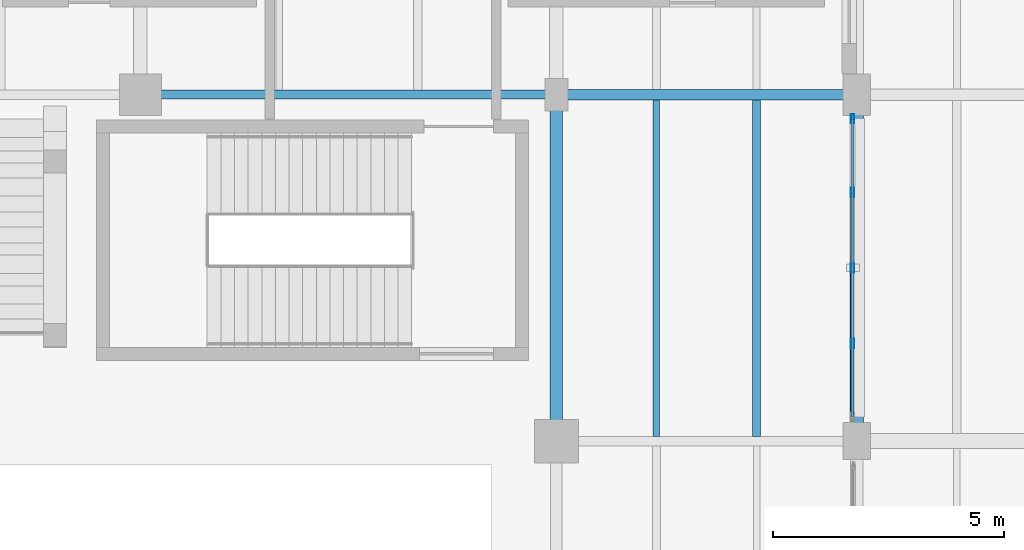
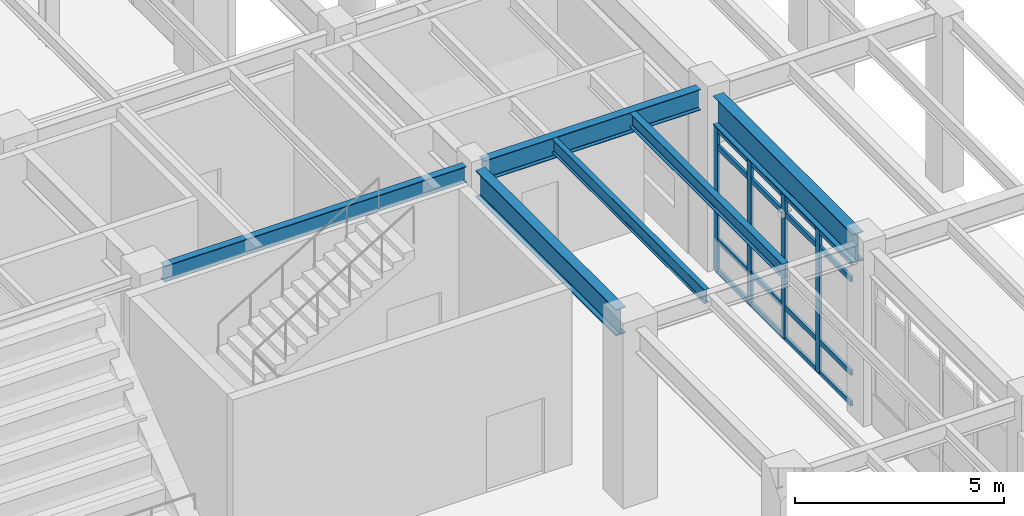
# One storey, part 121 of 203: 8 members, 6 beams, 1 element without a shape of its own.
"""IFC4 building model written with IfcOpenShell, lengths in metres."""

from ifc_helpers import new_model, si_unit, direction, frame, origin, origin_2d, place, context, subcontext, project, spatial, hollow_rectangle, i_section, extrude, material, material_profile, profile_set, type_object, element, aggregate, save


model = new_model("IFC4")

# Units and contexts
model_context = context("Model", 3, precision=1e-05, world=origin(), true_north=direction((0.0, 1.0)))
body_context = subcontext(model_context, "Body", "Model", "MODEL_VIEW")
ifc_project = project(units=[si_unit("LENGTHUNIT", "METRE"), si_unit("AREAUNIT", "SQUARE_METRE"), si_unit("VOLUMEUNIT", "CUBIC_METRE"), si_unit("PLANEANGLEUNIT", "RADIAN"), si_unit("MASSUNIT", "GRAM", prefix="KILO"), si_unit("THERMODYNAMICTEMPERATUREUNIT", "KELVIN"), si_unit("POWERUNIT", "WATT")], contexts=[model_context])

# Site, building, storey
site_placement = place(None, origin())
site = spatial("IfcSite", under=ifc_project, at=site_placement, CompositionType="ELEMENT")
building_placement = place(site_placement, origin())
building = spatial("IfcBuilding", under=site, at=building_placement, Name="Tepalcoro Natatorium and Aquatics Centre", CompositionType="ELEMENT")
storey_placement = place(building_placement, origin())
storey = spatial("IfcBuildingStorey", under=building, at=storey_placement, Name="L00", CompositionType="ELEMENT", Elevation=0.0)

# Beams
ifc_material_1 = material(Name="Steel ASTM A992 Grade 50 (Fy 345 MPa)", Category="steel")
ifc_material_profile_1 = material_profile(ifc_material_1, i_section(OverallWidth=0.193115234375, OverallDepth=0.467041015625, WebThickness=0.010986328125, FlangeThickness=0.01904296875, FilletRadius=0.013916015625, at=origin_2d()), Name="W18X65")
ifc_profile_set_1 = profile_set([ifc_material_profile_1], Name="Steel ASTM A992 Grade 50 (Fy 345 MPa)")
beam_type_1 = type_object("IfcBeamType", Name="BM_W18x65", PredefinedType="BEAM", material=ifc_profile_set_1)
beam_1_placement = place(storey_placement, frame((116.43505859375, 59.0, 4.8916015625), z_axis=(1.0, 0.0, 0.0), x_axis=(0.0, 1.0, 0.0)))
element("IfcBeam", 1, at=beam_1_placement, inside=storey, type_object=beam_type_1, Name="V1 L00 Grid Girder X", PredefinedType="BEAM", context=body_context, shape_type="SweptSolid", body=[
    extrude(i_section(OverallWidth=0.193115234375, OverallDepth=0.467041015625, WebThickness=0.010986328125, FlangeThickness=0.01904296875, FilletRadius=0.013916015625, at=origin_2d()), origin(), (0.0, 0.0, 1.0), 8.329833984375),
])
ifc_material_profile_2 = material_profile(ifc_material_1, i_section(OverallWidth=0.22802734375, OverallDepth=0.60693359375, WebThickness=0.010986328125, FlangeThickness=0.01708984375, FilletRadius=0.013916015625, at=origin_2d()), Name="W24X76")
ifc_profile_set_2 = profile_set([ifc_material_profile_2], Name="Steel ASTM A992 Grade 50 (Fy 345 MPa)")
beam_type_2 = type_object("IfcBeamType", Name="BM_W24x76", PredefinedType="BEAM", material=ifc_profile_set_2)
beam_2_placement = place(storey_placement, frame((125.235107421875, 59.0, 4.821533203125), z_axis=(1.0, 0.0, 0.0), x_axis=(0.0, 1.0, 0.0)))
element("IfcBeam", 2, at=beam_2_placement, inside=storey, type_object=beam_type_2, Name="V1 L00 Grid Girder X", PredefinedType="BEAM", context=body_context, shape_type="SweptSolid", body=[
    extrude(i_section(OverallWidth=0.22802734375, OverallDepth=0.60693359375, WebThickness=0.010986328125, FlangeThickness=0.01708984375, FilletRadius=0.013916015625, at=origin_2d()), origin(), (0.0, 0.0, 1.0), 5.97998046875),
])
ifc_material_profile_3 = material_profile(ifc_material_1, i_section(OverallWidth=0.26708984375, OverallDepth=0.780029296875, WebThickness=0.01708984375, FlangeThickness=0.030029296875, FilletRadius=0.013916015625, at=origin_2d()), Name="W30X148")
ifc_profile_set_3 = profile_set([ifc_material_profile_3], Name="Steel ASTM A992 Grade 50 (Fy 345 MPa)")
beam_type_3 = type_object("IfcBeamType", Name="BM_W30x148", PredefinedType="BEAM", material=ifc_profile_set_3)
beam_3_placement = place(storey_placement, frame((125.0, 51.9599609375, 4.735107421875), z_axis=(0.0, 1.0, 0.0), x_axis=(-1.0, 0.0, 0.0)))
element("IfcBeam", 3, at=beam_3_placement, inside=storey, type_object=beam_type_3, Name="V1 L00 Grid Girder Y", PredefinedType="BEAM", context=body_context, shape_type="SweptSolid", body=[
    extrude(i_section(OverallWidth=0.26708984375, OverallDepth=0.780029296875, WebThickness=0.01708984375, FlangeThickness=0.030029296875, FilletRadius=0.013916015625, at=origin_2d()), origin(), (0.0, 0.0, 1.0), 6.705078125),
])
ifc_material_profile_4 = material_profile(ifc_material_1, i_section(OverallWidth=0.2919921875, OverallDepth=0.845947265625, WebThickness=0.014892578125, FlangeThickness=0.02392578125, FilletRadius=0.013916015625, at=origin_2d()), Name="W33X141")
ifc_profile_set_4 = profile_set([ifc_material_profile_4], Name="Steel ASTM A992 Grade 50 (Fy 345 MPa)")
beam_type_4 = type_object("IfcBeamType", Name="BM_W33x141", PredefinedType="BEAM", material=ifc_profile_set_4)
beam_4_placement = place(storey_placement, frame((131.5, 51.885009765625, 4.662109375), z_axis=(0.0, 1.0, 0.0), x_axis=(-1.0, 0.0, 0.0)))
element("IfcBeam", 4, at=beam_4_placement, inside=storey, type_object=beam_type_4, Name="V1 L00 Grid Girder Y", PredefinedType="BEAM", context=body_context, shape_type="SweptSolid", body=[
    extrude(i_section(OverallWidth=0.2919921875, OverallDepth=0.845947265625, WebThickness=0.014892578125, FlangeThickness=0.02392578125, FilletRadius=0.013916015625, at=origin_2d()), origin(), (0.0, 0.0, 1.0), 6.679931640625),
])

# Curtain wall, members
ifc_material_2 = material(Name="Bronze-Anodised Extruded Aluminium Alloy EN AW-6063 T6", Category="aluminium")
curtain_wall_type = type_object("IfcCurtainWallType", Name="CW_V4_VILLAGE", PredefinedType="USERDEFINED", material=ifc_material_2)
curtain_wall_placement = place(storey_placement, origin())
curtain_wall = element("IfcCurtainWall", 5, at=curtain_wall_placement, inside=storey, type_object=curtain_wall_type, Name="V1 L00 E Unitised Curtain Wall Bay 7", ObjectType="UNITISED STOREFRONT", PredefinedType="USERDEFINED")
ifc_material_profile_5 = material_profile(ifc_material_2, hollow_rectangle(XDim=0.070068359375, YDim=0.199951171875, WallThickness=0.0048828125, at=origin_2d()), Name="AL70X200X5")
ifc_profile_set_5 = profile_set([ifc_material_profile_5], Name="Bronze-Anodised Extruded Aluminium Alloy EN AW-6063 T6")
member_type_1 = type_object("IfcMemberType", Name="CW_MUL_70x200", PredefinedType="MULLION", material=ifc_profile_set_5)
member_1_placement = place(storey_placement, frame((131.409912109375, 53.614990234375, 0.02001953125), z_axis=(0.0, 0.0, 1.0), x_axis=(1.0, 0.0, 0.0)))
member_1 = element("IfcMember", 6, at=member_1_placement, type_object=member_type_1, Name="CW_V4_VILLAGE Curtain Wall Mullion", PredefinedType="MULLION", context=body_context, shape_type="SweptSolid", body=[
    extrude(hollow_rectangle(XDim=0.070068359375, YDim=0.199951171875, WallThickness=0.0048828125, at=origin_2d()), origin(), (0.0, 0.0, 1.0), 4.18408203125),
])
member_2_placement = place(storey_placement, frame((131.409912109375, 55.25, 0.02001953125), z_axis=(0.0, 0.0, 1.0), x_axis=(1.0, 0.0, 0.0)))
member_2 = element("IfcMember", 7, at=member_2_placement, type_object=member_type_1, Name="CW_V4_VILLAGE Curtain Wall Mullion", PredefinedType="MULLION", context=body_context, shape_type="SweptSolid", body=[
    extrude(hollow_rectangle(XDim=0.070068359375, YDim=0.199951171875, WallThickness=0.0048828125, at=origin_2d()), origin(), (0.0, 0.0, 1.0), 4.18408203125),
])
member_3_placement = place(storey_placement, frame((131.409912109375, 56.885009765625, 0.02001953125), z_axis=(0.0, 0.0, 1.0), x_axis=(1.0, 0.0, 0.0)))
member_3 = element("IfcMember", 8, at=member_3_placement, type_object=member_type_1, Name="CW_V4_VILLAGE Curtain Wall Mullion", PredefinedType="MULLION", context=body_context, shape_type="SweptSolid", body=[
    extrude(hollow_rectangle(XDim=0.070068359375, YDim=0.199951171875, WallThickness=0.0048828125, at=origin_2d()), origin(), (0.0, 0.0, 1.0), 4.18408203125),
])
member_4_placement = place(storey_placement, frame((131.409912109375, 58.47998046875, 0.02001953125), z_axis=(0.0, 0.0, 1.0), x_axis=(1.0, 0.0, 0.0)))
member_4 = element("IfcMember", 9, at=member_4_placement, type_object=member_type_1, Name="CW_V4_VILLAGE Curtain Wall Mullion", PredefinedType="MULLION", context=body_context, shape_type="SweptSolid", body=[
    extrude(hollow_rectangle(XDim=0.070068359375, YDim=0.199951171875, WallThickness=0.0048828125, at=origin_2d()), origin(), (0.0, 0.0, 1.0), 4.18408203125),
])
ifc_material_profile_6 = material_profile(ifc_material_2, hollow_rectangle(XDim=0.070068359375, YDim=0.14990234375, WallThickness=0.00390625, at=origin_2d()), Name="AL70X150X4")
ifc_profile_set_6 = profile_set([ifc_material_profile_6], Name="Bronze-Anodised Extruded Aluminium Alloy EN AW-6063 T6")
member_type_2 = type_object("IfcMemberType", Name="CW_TRN_70x150", PredefinedType="USERDEFINED", material=ifc_profile_set_6)
member_5_placement = place(storey_placement, frame((131.409912109375, 52.030029296875, 0.050048828125), z_axis=(0.0, 1.0, 0.0), x_axis=(-1.0, 0.0, 0.0)))
member_5 = element("IfcMember", 10, at=member_5_placement, type_object=member_type_2, Name="CW_V4_VILLAGE Curtain Wall Transom", ObjectType="TRANSOM", PredefinedType="USERDEFINED", context=body_context, shape_type="SweptSolid", body=[
    extrude(hollow_rectangle(XDim=0.070068359375, YDim=0.14990234375, WallThickness=0.00390625, at=origin_2d()), origin(), (0.0, 0.0, 1.0), 6.43994140625),
])
member_6_placement = place(storey_placement, frame((131.409912109375, 52.030029296875, 0.949951171875), z_axis=(0.0, 1.0, 0.0), x_axis=(-1.0, 0.0, 0.0)))
member_6 = element("IfcMember", 11, at=member_6_placement, type_object=member_type_2, Name="CW_V4_VILLAGE Curtain Wall Transom", ObjectType="TRANSOM", PredefinedType="USERDEFINED", context=body_context, shape_type="SweptSolid", body=[
    extrude(hollow_rectangle(XDim=0.070068359375, YDim=0.14990234375, WallThickness=0.00390625, at=origin_2d()), origin(), (0.0, 0.0, 1.0), 6.43994140625),
])
member_7_placement = place(storey_placement, frame((131.409912109375, 52.030029296875, 3.674072265625), z_axis=(0.0, 1.0, 0.0), x_axis=(-1.0, 0.0, 0.0)))
member_7 = element("IfcMember", 12, at=member_7_placement, type_object=member_type_2, Name="CW_V4_VILLAGE Curtain Wall Transom", ObjectType="TRANSOM", PredefinedType="USERDEFINED", context=body_context, shape_type="SweptSolid", body=[
    extrude(hollow_rectangle(XDim=0.070068359375, YDim=0.14990234375, WallThickness=0.00390625, at=origin_2d()), origin(), (0.0, 0.0, 1.0), 6.43994140625),
])
member_8_placement = place(storey_placement, frame((131.409912109375, 52.030029296875, 4.174072265625), z_axis=(0.0, 1.0, 0.0), x_axis=(-1.0, 0.0, 0.0)))
member_8 = element("IfcMember", 13, at=member_8_placement, type_object=member_type_2, Name="CW_V4_VILLAGE Curtain Wall Transom", ObjectType="TRANSOM", PredefinedType="USERDEFINED", context=body_context, shape_type="SweptSolid", body=[
    extrude(hollow_rectangle(XDim=0.070068359375, YDim=0.14990234375, WallThickness=0.00390625, at=origin_2d()), origin(), (0.0, 0.0, 1.0), 6.43994140625),
])
aggregate(curtain_wall, [member_1, member_2, member_3, member_4, member_5, member_6, member_7, member_8])

# Beams
ifc_material_profile_7 = material_profile(ifc_material_1, i_section(OverallWidth=0.139892578125, OverallDepth=0.404052734375, WebThickness=0.007080078125, FlangeThickness=0.010986328125, FilletRadius=0.013916015625, at=origin_2d()), Name="W16X31")
ifc_profile_set_7 = profile_set([ifc_material_profile_7], Name="Steel ASTM A992 Grade 50 (Fy 345 MPa)")
beam_type_5 = type_object("IfcBeamType", Name="JS_W16x31", PredefinedType="JOIST", material=ifc_profile_set_7)
beam_5_placement = place(storey_placement, frame((127.166748046875, 51.60595703125, 4.923095703125), z_axis=(0.0, 1.0, 0.0), x_axis=(-1.0, 0.0, 0.0)))
element("IfcBeam", 14, at=beam_5_placement, inside=storey, type_object=beam_type_5, Name="V1 L00 Floor Joist", PredefinedType="JOIST", context=body_context, shape_type="SweptSolid", body=[
    extrude(i_section(OverallWidth=0.139892578125, OverallDepth=0.404052734375, WebThickness=0.007080078125, FlangeThickness=0.010986328125, FilletRadius=0.013916015625, at=origin_2d()), origin(), (0.0, 0.0, 1.0), 7.280029296875),
])
ifc_material_profile_8 = material_profile(ifc_material_1, i_section(OverallWidth=0.178955078125, OverallDepth=0.409912109375, WebThickness=0.009033203125, FlangeThickness=0.013916015625, FilletRadius=0.013916015625, at=origin_2d()), Name="W16X45")
ifc_profile_set_8 = profile_set([ifc_material_profile_8], Name="Steel ASTM A992 Grade 50 (Fy 345 MPa)")
beam_type_6 = type_object("IfcBeamType", Name="JS_W16x45", PredefinedType="JOIST", material=ifc_profile_set_8)
beam_6_placement = place(storey_placement, frame((129.333251953125, 51.60595703125, 4.919921875), z_axis=(0.0, 1.0, 0.0), x_axis=(-1.0, 0.0, 0.0)))
element("IfcBeam", 15, at=beam_6_placement, inside=storey, type_object=beam_type_6, Name="V1 L00 Floor Joist", PredefinedType="JOIST", context=body_context, shape_type="SweptSolid", body=[
    extrude(i_section(OverallWidth=0.178955078125, OverallDepth=0.409912109375, WebThickness=0.009033203125, FlangeThickness=0.013916015625, FilletRadius=0.013916015625, at=origin_2d()), origin(), (0.0, 0.0, 1.0), 7.280029296875),
])

save(model, "model.ifc")
